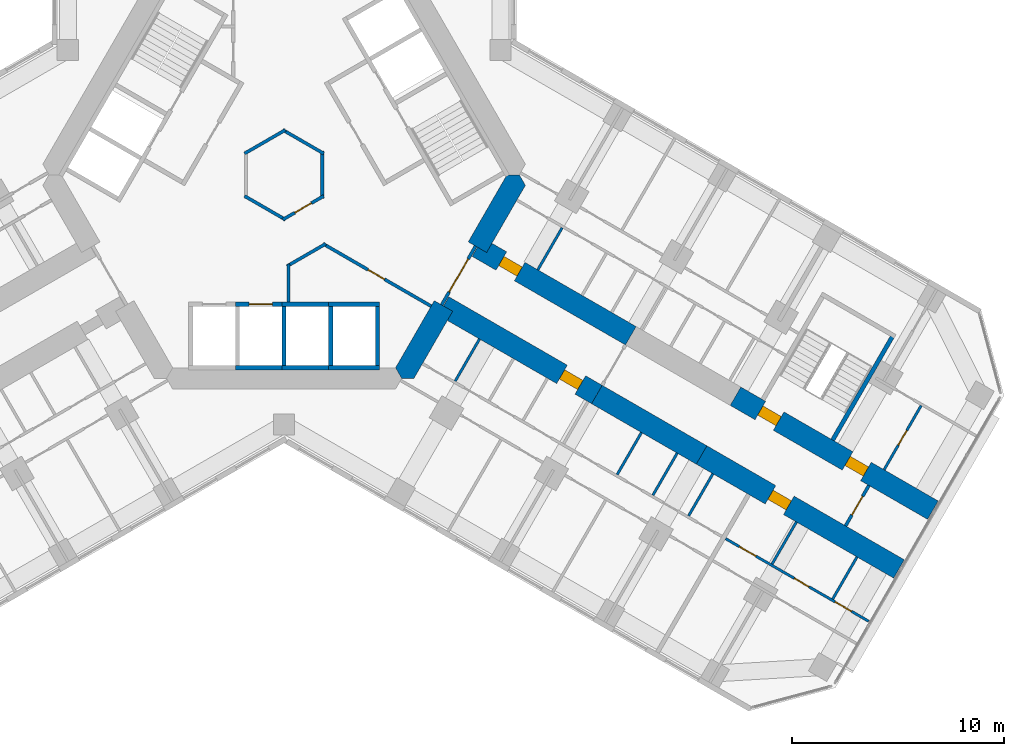
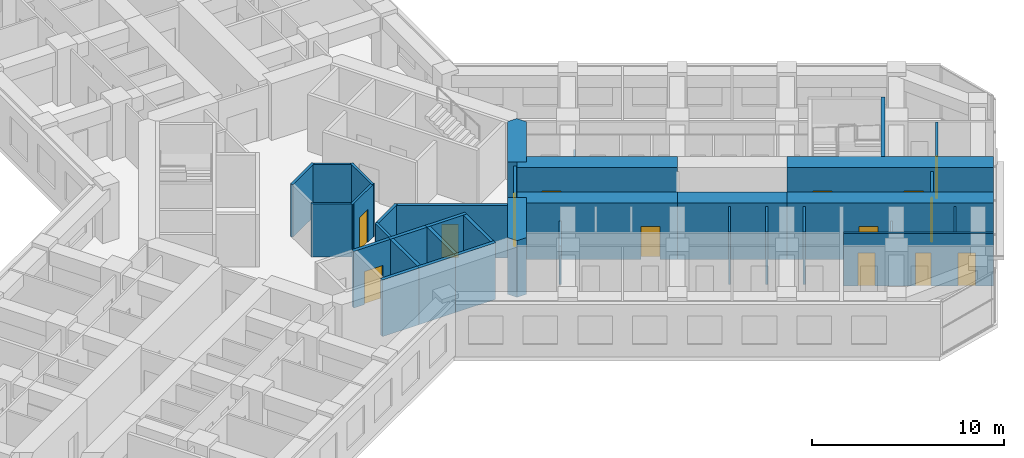
# One storey, part 15 of 21: 36 walls, 14 doors, 14 openings.
"""IFC4 building model written with IfcOpenShell, lengths in metres."""

from ifc_helpers import new_model, si_unit, direction, frame, frame_2d, origin, place, context, subcontext, project, spatial, polyline, rectangle, outline, extrude, material, layer, layer_set, type_object, element, fill, save


model = new_model("IFC4")

# Units and contexts
model_context = context("Model", 3, precision=1e-05, world=origin(), true_north=direction((0.0, 1.0)))
body_context = subcontext(model_context, "Body", "Model", "MODEL_VIEW")
ifc_project = project(units=[si_unit("LENGTHUNIT", "METRE"), si_unit("AREAUNIT", "SQUARE_METRE"), si_unit("VOLUMEUNIT", "CUBIC_METRE"), si_unit("PLANEANGLEUNIT", "RADIAN"), si_unit("MASSUNIT", "GRAM", prefix="KILO")], contexts=[model_context])

# Site, building, storey
site_placement = place(None, origin())
site = spatial("IfcSite", under=ifc_project, at=site_placement, CompositionType="ELEMENT")
building_placement = place(site_placement, origin())
building = spatial("IfcBuilding", under=site, at=building_placement, Name="Kosmar Iwan School Tower", CompositionType="ELEMENT")
storey_placement = place(building_placement, frame((0.0, 0.0, 57.39990234375)))
storey = spatial("IfcBuildingStorey", under=building, at=storey_placement, Name="L13", CompositionType="ELEMENT", Elevation=57.39990234375)

# Wall, opening, door
ifc_material_1 = material(Name="Gypsum board on steel studs, fire-rated", Category="steel")
ifc_layer_1 = layer(ifc_material_1, 0.14990234375)
ifc_layer_set_1 = layer_set([ifc_layer_1], Name="Core room partition 150")
wall_type_1 = type_object("IfcWallType", Name="Core room partition 150", PredefinedType="PARTITIONING", material=ifc_layer_set_1)
wall_1_placement = place(storey_placement, frame((1.864990234375, -1.001708984375, 0.0), z_axis=(0.0, 0.0, 1.0), x_axis=(-0.866023215828, -0.500003789632, 0.0)))
wall_1 = element("IfcWall", 1, at=wall_1_placement, inside=storey, type_object=wall_type_1, Name="Core room partition L13-CW4", PredefinedType="PARTITIONING", context=body_context, shape_type="SweptSolid", body=[
    extrude(rectangle(XDim=2.228515625, YDim=0.14990234375, at=frame_2d((1.1142578125, 0.0))), origin(), (0.0, 0.0, 1.0), 3.35009765625),
])
opening_1_placement = place(wall_1_placement, frame((0.6640625, 0.0, 0.0)))
opening_1 = element("IfcOpeningElement", 2, at=opening_1_placement, cuts=wall_1, Name="Opening D14", PredefinedType="OPENING", context=body_context, shape_type="SweptSolid", body=[
    extrude(rectangle(XDim=0.89990234375, YDim=2.10009765625, at=frame_2d((0.449951171875, 1.050048828125))), frame((0.0, 0.0869140625, 0.0), z_axis=(0.0, -1.0, 0.0), x_axis=(1.0, 0.0, 0.0)), (0.0, 0.0, 1.0), 0.173828125),
])
ifc_material_2 = material(Name="Timber fire door in steel frame", Category="steel")
door_type_1 = type_object("IfcDoorType", Name="Core room door 900x2100", OperationType="SINGLE_SWING_LEFT", PredefinedType="DOOR", material=ifc_material_2)
door_1_placement = place(opening_1_placement, origin())
door_1 = element("IfcDoor", 3, at=door_1_placement, inside=storey, type_object=door_type_1, Name="Residents' laundry room door L13 3", OperationType="SINGLE_SWING_RIGHT", OverallHeight=2.10009765625, OverallWidth=0.89990234375, PredefinedType="DOOR", context=body_context, shape_type="SweptSolid", body=[
    extrude(rectangle(XDim=0.89990234375, YDim=2.10009765625, at=frame_2d((0.449951171875, 1.050048828125))), frame((0.0, 0.02490234375, 0.0), z_axis=(0.0, -1.0, 0.0), x_axis=(1.0, 0.0, 0.0)), (0.0, 0.0, 1.0), 0.050048828125),
])
fill(opening_1, door_1)

# Walls
for number, where, z_axis, x_axis, name in (
    (4, (0.06494140625, -2.115966796875, 0.0), (0.0, 0.0, 1.0), (-0.866023215828, 0.500003789632, 0.0), "Core room partition L13-CW5"),
    (5, (-1.864990234375, 1.001708984375, 0.0), (0.0, 0.0, 1.0), (0.866023215828, 0.500003789632, 0.0), "Core room partition L13-CW7"),
    (6, (-0.06494140625, 2.115966796875, 0.0), (0.0, 0.0, 1.0), (0.866023215828, -0.500003789632, 0.0), "Core room partition L13-CW8"),
    (7, (1.800048828125, 1.1142578125, 0.0), (0.0, 0.0, 1.0), (0.0, -1.0, 0.0), "Core room partition L13-CW9"),
):
    element("IfcWall", number, at=place(storey_placement, frame(where, z_axis=z_axis, x_axis=x_axis)), inside=storey, type_object=wall_type_1, Name=name, PredefinedType="PARTITIONING", context=body_context, shape_type="SweptSolid", body=[
        extrude(rectangle(XDim=2.228515625, YDim=0.14990234375, at=frame_2d((1.1142578125, 0.0))), origin(), (0.0, 0.0, 1.0), 3.35009765625),
    ])
wall_2_placement = place(storey_placement, frame((0.199951171875, -6.0048828125, 0.0), z_axis=(0.0, 0.0, 1.0), x_axis=(0.0, 1.0, 0.0)))
element("IfcWall", 8, at=wall_2_placement, inside=storey, type_object=wall_type_1, Name="Core room partition L13-CW10", PredefinedType="PARTITIONING", context=body_context, shape_type="SweptSolid", body=[
    extrude(rectangle(XDim=1.807373046875, YDim=0.14990234375, at=frame_2d((0.90380859375, 0.0))), origin(), (0.0, 0.0, 1.0), 3.35009765625),
])
wall_3_placement = place(storey_placement, frame((0.135009765625, -4.309814453125, 0.0), z_axis=(0.0, 0.0, 1.0), x_axis=(0.866037425094, 0.499979177903, 0.0)))
element("IfcWall", 9, at=wall_3_placement, inside=storey, type_object=wall_type_1, Name="Core room partition L13-CW11", PredefinedType="PARTITIONING", context=body_context, shape_type="SweptSolid", body=[
    extrude(rectangle(XDim=2.11279296875, YDim=0.14990234375, at=frame_2d((1.056396484375, 0.0))), origin(), (0.0, 0.0, 1.0), 3.35009765625),
])

# Wall, opening, door
wall_4_placement = place(storey_placement, frame((1.8349609375, -3.25341796875, 0.0), z_axis=(0.0, 0.0, 1.0), x_axis=(0.866025981722, -0.499998998981, 0.0)))
wall_4 = element("IfcWall", 10, at=wall_4_placement, inside=storey, type_object=wall_type_1, Name="Core room partition L13-CW12", PredefinedType="PARTITIONING", context=body_context, shape_type="SweptSolid", body=[
    extrude(rectangle(XDim=5.88427734375, YDim=0.14990234375, at=frame_2d((2.942138671875, 0.0))), origin(), (0.0, 0.0, 1.0), 3.35009765625),
])
opening_2_placement = place(wall_4_placement, frame((2.449951171875, 0.0, 0.0)))
opening_2 = element("IfcOpeningElement", 11, at=opening_2_placement, cuts=wall_4, Name="Opening D14", PredefinedType="OPENING", context=body_context, shape_type="SweptSolid", body=[
    extrude(rectangle(XDim=0.89990234375, YDim=2.10009765625, at=frame_2d((0.449951171875, 1.050048828125))), frame((0.0, 0.0869140625, 0.0), z_axis=(0.0, -1.0, 0.0), x_axis=(1.0, 0.0, 0.0)), (0.0, 0.0, 1.0), 0.173828125),
])
door_2_placement = place(opening_2_placement, origin())
door_2 = element("IfcDoor", 12, at=door_2_placement, inside=storey, type_object=door_type_1, Name="Bicycle repair room door L13 4", OperationType="SINGLE_SWING_LEFT", OverallHeight=2.10009765625, OverallWidth=0.89990234375, PredefinedType="DOOR", context=body_context, shape_type="SweptSolid", body=[
    extrude(rectangle(XDim=0.89990234375, YDim=2.10009765625, at=frame_2d((0.449951171875, 1.050048828125))), frame((0.0, 0.02490234375, 0.0), z_axis=(0.0, -1.0, 0.0), x_axis=(1.0, 0.0, 0.0)), (0.0, 0.0, 1.0), 0.050048828125),
])
fill(opening_2, door_2)

# Walls
ifc_material_3 = material(Name="Concrete C50/60", Category="concrete")
ifc_layer_2 = layer(ifc_material_3, 1.0)
ifc_layer_set_2 = layer_set([ifc_layer_2], Name="Core wall 1000")
wall_type_2 = type_object("IfcWallType", Name="Core wall 1000", PredefinedType="SHEAR", material=ifc_layer_set_2)
wall_5_placement = place(storey_placement, origin())
element("IfcWall", 13, at=wall_5_placement, inside=storey, type_object=wall_type_2, Name="Core wall F330a", PredefinedType="SHEAR", context=body_context, shape_type="SweptSolid", body=[
    extrude(outline(polyline([(5.54248046875, -9.60009765625), (6.119873046875, -9.60009765625), (7.94677734375, -6.435546875), (7.080810546875, -5.935546875), (5.25390625, -9.10009765625), (5.54248046875, -9.60009765625)])), origin(), (0.0, 0.0, 1.0), 3.60009765625),
])
wall_6_placement = place(storey_placement, origin())
element("IfcWall", 14, at=wall_6_placement, inside=storey, type_object=wall_type_2, Name="Core wall F330b", PredefinedType="SHEAR", context=body_context, shape_type="SweptSolid", body=[
    extrude(outline(polyline([(9.546875, -3.664306640625), (11.373779296875, -0.5), (11.085205078125, 0.0), (10.5078125, 0.0), (8.680908203125, -3.164306640625), (9.546875, -3.664306640625)])), origin(), (0.0, 0.0, 1.0), 3.60009765625),
])

# Wall, opening, door
ifc_material_4 = material(Name="Concrete C50/60", Category="concrete")
ifc_layer_3 = layer(ifc_material_4, 1.0)
ifc_layer_set_3 = layer_set([ifc_layer_3], Name="Corridor buttress wall 1000")
wall_type_3 = type_object("IfcWallType", Name="Corridor buttress wall 1000", PredefinedType="SHEAR", material=ifc_layer_set_3)
wall_7_placement = place(storey_placement, frame((9.11376953125, -3.414306640625, 0.0), z_axis=(0.0, 0.0, 1.0), x_axis=(0.866026859388, -0.499997478812, 0.0)))
wall_7 = element("IfcWall", 15, at=wall_7_placement, inside=storey, type_object=wall_type_3, Name="Corridor wall CL", PredefinedType="SHEAR", context=body_context, shape_type="SweptSolid", body=[
    extrude(rectangle(XDim=8.35009765625, YDim=1.0, at=frame_2d((4.175048828125, 0.0))), origin(), (0.0, 0.0, 1.0), 3.60009765625),
])
opening_3_placement = place(wall_7_placement, frame((1.300048828125, 0.0, 0.0)))
opening_3 = element("IfcOpeningElement", 16, at=opening_3_placement, cuts=wall_7, Name="Opening D1", PredefinedType="OPENING", context=body_context, shape_type="SweptSolid", body=[
    extrude(rectangle(XDim=1.0, YDim=2.10009765625, at=frame_2d((0.5, 1.050048828125))), frame((0.0, 0.511962890625, 0.0), z_axis=(0.0, -1.0, 0.0), x_axis=(1.0, 0.0, 0.0)), (0.0, 0.0, 1.0), 1.02392578125),
])
ifc_material_5 = material(Name="Timber fire door in steel frame", Category="steel")
door_type_2 = type_object("IfcDoorType", Name="Flat entrance door 1000x2100", OperationType="SINGLE_SWING_LEFT", PredefinedType="DOOR", material=ifc_material_5)
door_3_placement = place(opening_3_placement, origin())
door_3 = element("IfcDoor", 17, at=door_3_placement, inside=storey, type_object=door_type_2, Name="Flat L13-CL1 entrance door", OperationType="SINGLE_SWING_RIGHT", OverallHeight=2.10009765625, OverallWidth=1.0, PredefinedType="DOOR", context=body_context, shape_type="SweptSolid", body=[
    extrude(rectangle(XDim=1.0, YDim=2.10009765625, at=frame_2d((0.5, 1.050048828125))), frame((0.0, 0.25, 0.0), z_axis=(0.0, -1.0, 0.0), x_axis=(1.0, 0.0, 0.0)), (0.0, 0.0, 1.0), 0.5),
])
fill(opening_3, door_3)

# Wall, openings, doors
wall_8_placement = place(storey_placement, frame((21.281494140625, -10.439453125, 0.0), z_axis=(0.0, 0.0, 1.0), x_axis=(0.866032345022, -0.499987977232, 0.0)))
wall_8 = element("IfcWall", 18, at=wall_8_placement, inside=storey, type_object=wall_type_3, Name="Corridor wall CL bay 3", PredefinedType="SHEAR", context=body_context, shape_type="SweptSolid", body=[
    extrude(rectangle(XDim=10.744873046875, YDim=1.0, at=frame_2d((5.37255859375, 0.0))), origin(), (0.0, 0.0, 1.0), 3.60009765625),
])
opening_4_placement = place(wall_8_placement, frame((6.10009765625, 0.0, 0.0)))
opening_4 = element("IfcOpeningElement", 19, at=opening_4_placement, cuts=wall_8, Name="Opening D1", PredefinedType="OPENING", context=body_context, shape_type="SweptSolid", body=[
    extrude(rectangle(XDim=1.0, YDim=2.10009765625, at=frame_2d((0.5, 1.050048828125))), frame((0.0, 0.511962890625, 0.0), z_axis=(0.0, -1.0, 0.0), x_axis=(1.0, 0.0, 0.0)), (0.0, 0.0, 1.0), 1.02392578125),
])
opening_5_placement = place(wall_8_placement, frame((1.35009765625, 0.0, 0.0)))
opening_5 = element("IfcOpeningElement", 20, at=opening_5_placement, cuts=wall_8, Name="Opening D6", PredefinedType="OPENING", context=body_context, shape_type="SweptSolid", body=[
    extrude(rectangle(XDim=1.0, YDim=2.10009765625, at=frame_2d((0.5, 1.050048828125))), frame((0.0, 0.511962890625, 0.0), z_axis=(0.0, -1.0, 0.0), x_axis=(1.0, 0.0, 0.0)), (0.0, 0.0, 1.0), 1.02392578125),
])
door_4_placement = place(opening_4_placement, origin())
door_4 = element("IfcDoor", 21, at=door_4_placement, inside=storey, type_object=door_type_2, Name="Flat L13-CL2 entrance door", OperationType="SINGLE_SWING_RIGHT", OverallHeight=2.10009765625, OverallWidth=1.0, PredefinedType="DOOR", context=body_context, shape_type="SweptSolid", body=[
    extrude(rectangle(XDim=1.0, YDim=2.10009765625, at=frame_2d((0.5, 1.050048828125))), frame((0.0, 0.25, 0.0), z_axis=(0.0, -1.0, 0.0), x_axis=(1.0, 0.0, 0.0)), (0.0, 0.0, 1.0), 0.5),
])
fill(opening_4, door_4)
ifc_material_6 = material(Name="Steel fire door", Category="steel")
door_type_3 = type_object("IfcDoorType", Name="Stair door 1000x2100", OperationType="SINGLE_SWING_LEFT", PredefinedType="DOOR", material=ifc_material_6)
door_5_placement = place(opening_5_placement, origin())
door_5 = element("IfcDoor", 22, at=door_5_placement, inside=storey, type_object=door_type_3, Name="Stair WS3 door L13", OperationType="SINGLE_SWING_LEFT", OverallHeight=2.10009765625, OverallWidth=1.0, PredefinedType="DOOR", context=body_context, shape_type="SweptSolid", body=[
    extrude(rectangle(XDim=1.0, YDim=2.10009765625, at=frame_2d((0.5, 1.050048828125))), frame((0.0, 0.25, 0.0), z_axis=(0.0, -1.0, 0.0), x_axis=(1.0, 0.0, 0.0)), (0.0, 0.0, 1.0), 0.5),
])
fill(opening_5, door_5)

# Wall, opening, door
wall_9_placement = place(storey_placement, frame((7.513916015625, -6.185546875, 0.0), z_axis=(0.0, 0.0, 1.0), x_axis=(0.866019549707, -0.500010139422, 0.0)))
wall_9 = element("IfcWall", 23, at=wall_9_placement, inside=storey, type_object=wall_type_3, Name="Corridor wall CR", PredefinedType="SHEAR", context=body_context, shape_type="SweptSolid", body=[
    extrude(rectangle(XDim=8.349853515625, YDim=1.0, at=frame_2d((4.1748046875, 0.0))), origin(), (0.0, 0.0, 1.0), 3.60009765625),
])
opening_6_placement = place(wall_9_placement, frame((6.449951171875, 0.0, 0.0)))
opening_6 = element("IfcOpeningElement", 24, at=opening_6_placement, cuts=wall_9, Name="Opening D1", PredefinedType="OPENING", context=body_context, shape_type="SweptSolid", body=[
    extrude(rectangle(XDim=1.0, YDim=2.10009765625, at=frame_2d((0.5, 1.050048828125))), frame((0.0, 0.511962890625, 0.0), z_axis=(0.0, -1.0, 0.0), x_axis=(1.0, 0.0, 0.0)), (0.0, 0.0, 1.0), 1.02392578125),
])
door_6_placement = place(opening_6_placement, origin())
door_6 = element("IfcDoor", 25, at=door_6_placement, inside=storey, type_object=door_type_2, Name="Flat L13-CR1 entrance door", OperationType="SINGLE_SWING_RIGHT", OverallHeight=2.10009765625, OverallWidth=1.0, PredefinedType="DOOR", context=body_context, shape_type="SweptSolid", body=[
    extrude(rectangle(XDim=1.0, YDim=2.10009765625, at=frame_2d((0.5, 1.050048828125))), frame((0.0, 0.25, 0.0), z_axis=(0.0, -1.0, 0.0), x_axis=(1.0, 0.0, 0.0)), (0.0, 0.0, 1.0), 0.5),
])
fill(opening_6, door_6)

# Wall
wall_10_placement = place(storey_placement, frame((14.7451171875, -10.360595703125, 0.0), z_axis=(0.0, 0.0, 1.0), x_axis=(0.866015111908, -0.50001782563, 0.0)))
element("IfcWall", 26, at=wall_10_placement, inside=storey, type_object=wall_type_3, Name="Corridor wall CR bay 2", PredefinedType="SHEAR", context=body_context, shape_type="SweptSolid", body=[
    extrude(rectangle(XDim=5.699951171875, YDim=1.0, at=frame_2d((2.85009765625, 0.0))), origin(), (0.0, 0.0, 1.0), 3.60009765625),
])

# Wall, opening, door
wall_11_placement = place(storey_placement, frame((19.681396484375, -13.210693359375, 0.0), z_axis=(0.0, 0.0, 1.0), x_axis=(0.866028186671, -0.499995179869, 0.0)))
wall_11 = element("IfcWall", 27, at=wall_11_placement, inside=storey, type_object=wall_type_3, Name="Corridor wall CR bay 3", PredefinedType="SHEAR", context=body_context, shape_type="SweptSolid", body=[
    extrude(rectangle(XDim=10.7451171875, YDim=1.0, at=frame_2d((5.37255859375, 0.0))), origin(), (0.0, 0.0, 1.0), 3.60009765625),
])
opening_7_placement = place(wall_11_placement, frame((3.75, 0.0, 0.0)))
opening_7 = element("IfcOpeningElement", 28, at=opening_7_placement, cuts=wall_11, Name="Opening D1", PredefinedType="OPENING", context=body_context, shape_type="SweptSolid", body=[
    extrude(rectangle(XDim=1.0, YDim=2.10009765625, at=frame_2d((0.5, 1.050048828125))), frame((0.0, 0.511962890625, 0.0), z_axis=(0.0, -1.0, 0.0), x_axis=(1.0, 0.0, 0.0)), (0.0, 0.0, 1.0), 1.02392578125),
])
door_7_placement = place(opening_7_placement, origin())
door_7 = element("IfcDoor", 29, at=door_7_placement, inside=storey, type_object=door_type_2, Name="Flat L13-CR2 entrance door", OperationType="SINGLE_SWING_RIGHT", OverallHeight=2.10009765625, OverallWidth=1.0, PredefinedType="DOOR", context=body_context, shape_type="SweptSolid", body=[
    extrude(rectangle(XDim=1.0, YDim=2.10009765625, at=frame_2d((0.5, 1.050048828125))), frame((0.0, 0.25, 0.0), z_axis=(0.0, -1.0, 0.0), x_axis=(1.0, 0.0, 0.0)), (0.0, 0.0, 1.0), 0.5),
])
fill(opening_7, door_7)

ifc_material_7 = material(Name="Gypsum board on steel studs, fire-rated", Category="steel")
ifc_layer_4 = layer(ifc_material_7, 0.14990234375)
ifc_layer_set_4 = layer_set([ifc_layer_4], Name="Corridor end wall 150")
wall_type_4 = type_object("IfcWallType", Name="Corridor end wall 150", PredefinedType="PARTITIONING", material=ifc_layer_set_4)
wall_12_placement = place(storey_placement, frame((26.469970703125, -16.552734375, 0.0), z_axis=(0.0, 0.0, 1.0), x_axis=(0.50002983664, 0.866008176907, 0.0)))
wall_12 = element("IfcWall", 30, at=wall_12_placement, inside=storey, type_object=wall_type_4, Name="Partition L13-C-CE", PredefinedType="PARTITIONING", context=body_context, shape_type="SweptSolid", body=[
    extrude(rectangle(XDim=2.199951171875, YDim=0.14990234375, at=frame_2d((1.10009765625, 0.0))), origin(), (0.0, 0.0, 1.0), 3.35009765625),
])
opening_8_placement = place(wall_12_placement, frame((0.60009765625, 0.0, 0.0)))
opening_8 = element("IfcOpeningElement", 31, at=opening_8_placement, cuts=wall_12, Name="Opening D13", PredefinedType="OPENING", context=body_context, shape_type="SweptSolid", body=[
    extrude(rectangle(XDim=1.0, YDim=2.10009765625, at=frame_2d((0.5, 1.050048828125))), frame((0.0, 0.0869140625, 0.0), z_axis=(0.0, -1.0, 0.0), x_axis=(1.0, 0.0, 0.0)), (0.0, 0.0, 1.0), 0.173828125),
])
ifc_material_8 = material(Name="Timber fire door with vision panel", Category="wood")
door_type_4 = type_object("IfcDoorType", Name="Corridor end door 1000x2100", OperationType="SINGLE_SWING_LEFT", PredefinedType="DOOR", material=ifc_material_8)
door_8_placement = place(opening_8_placement, origin())
door_8 = element("IfcDoor", 32, at=door_8_placement, inside=storey, type_object=door_type_4, Name="Laundry and drying room door L13-C", OperationType="SINGLE_SWING_LEFT", OverallHeight=2.10009765625, OverallWidth=1.0, PredefinedType="DOOR", context=body_context, shape_type="SweptSolid", body=[
    extrude(rectangle(XDim=1.0, YDim=2.10009765625, at=frame_2d((0.5, 1.050048828125))), frame((0.0, 0.02490234375, 0.0), z_axis=(0.0, -1.0, 0.0), x_axis=(1.0, 0.0, 0.0)), (0.0, 0.0, 1.0), 0.050048828125),
])
fill(opening_8, door_8)

ifc_material_9 = material(Name="Steel framed glazed screen", Category="steel")
ifc_layer_5 = layer(ifc_material_9, 0.14990234375)
ifc_layer_set_5 = layer_set([ifc_layer_5], Name="Corridor screen wall 150")
wall_type_5 = type_object("IfcWallType", Name="Corridor screen wall 150", PredefinedType="PARTITIONING", material=ifc_layer_set_5)
wall_13_placement = place(storey_placement, frame((7.42724609375, -6.1357421875, 0.0), z_axis=(0.0, 0.0, 1.0), x_axis=(0.499995408039, 0.866028054938, 0.0)))
wall_13 = element("IfcWall", 33, at=wall_13_placement, inside=storey, type_object=wall_type_5, Name="Corridor screen C L13", PredefinedType="PARTITIONING", context=body_context, shape_type="SweptSolid", body=[
    extrude(rectangle(XDim=3.2001953125, YDim=0.14990234375, at=frame_2d((1.60009765625, 0.0))), origin(), (0.0, 0.0, 1.0), 3.35009765625),
])
opening_9_placement = place(wall_13_placement, frame((0.699951171875, 0.0, 0.0)))
opening_9 = element("IfcOpeningElement", 34, at=opening_9_placement, cuts=wall_13, Name="Opening D9", PredefinedType="OPENING", context=body_context, shape_type="SweptSolid", body=[
    extrude(rectangle(XDim=1.800048828125, YDim=2.10009765625, at=frame_2d((0.89990234375, 1.050048828125))), frame((0.0, 0.0869140625, 0.0), z_axis=(0.0, -1.0, 0.0), x_axis=(1.0, 0.0, 0.0)), (0.0, 0.0, 1.0), 0.173828125),
])
ifc_material_10 = material(Name="Steel framed glazed smoke door", Category="steel")
door_type_5 = type_object("IfcDoorType", Name="Corridor smoke door pair 1800x2100", OperationType="DOUBLE_DOOR_DOUBLE_SWING", PredefinedType="DOOR", material=ifc_material_10)
door_9_placement = place(opening_9_placement, origin())
door_9 = element("IfcDoor", 35, at=door_9_placement, inside=storey, type_object=door_type_5, Name="Corridor doors C L13", OperationType="DOUBLE_DOOR_DOUBLE_SWING", OverallHeight=2.10009765625, OverallWidth=1.800048828125, PredefinedType="DOOR", context=body_context, shape_type="SweptSolid", body=[
    extrude(rectangle(XDim=1.800048828125, YDim=2.10009765625, at=frame_2d((0.89990234375, 1.050048828125))), frame((0.0, 0.02490234375, 0.0), z_axis=(0.0, -1.0, 0.0), x_axis=(1.0, 0.0, 0.0)), (0.0, 0.0, 1.0), 0.050048828125),
])
fill(opening_9, door_9)

# Wall
ifc_material_11 = material(Name="Gypsum board on steel studs", Category="steel")
ifc_layer_6 = layer(ifc_material_11, 0.1201171875)
ifc_layer_set_6 = layer_set([ifc_layer_6], Name="Dwelling partition 120")
wall_type_6 = type_object("IfcWallType", Name="Dwelling partition 120", PredefinedType="PARTITIONING", material=ifc_layer_set_6)
wall_14_placement = place(storey_placement, frame((11.9619140625, -4.4814453125, 0.0), z_axis=(0.0, 0.0, 1.0), x_axis=(0.499968531483, 0.866043571379, 0.0)))
element("IfcWall", 36, at=wall_14_placement, inside=storey, type_object=wall_type_6, Name="Partition L13-CL1-Y1", PredefinedType="PARTITIONING", context=body_context, shape_type="SweptSolid", body=[
    extrude(rectangle(XDim=2.290283203125, YDim=0.1201171875, at=frame_2d((1.14501953125, 0.0))), origin(), (0.0, 0.0, 1.0), 2.4501953125),
])

# Wall, opening, door
wall_15_placement = place(storey_placement, frame((28.286376953125, -13.90625, 0.0), z_axis=(0.0, 0.0, 1.0), x_axis=(0.50002117804, 0.866013176292, 0.0)))
wall_15 = element("IfcWall", 37, at=wall_15_placement, inside=storey, type_object=wall_type_6, Name="Partition L13-CL2-TY", PredefinedType="PARTITIONING", context=body_context, shape_type="SweptSolid", body=[
    extrude(rectangle(XDim=3.489990234375, YDim=0.1201171875, at=frame_2d((1.7451171875, 0.0))), origin(), (0.0, 0.0, 1.0), 3.35009765625),
])
opening_10_placement = place(wall_15_placement, frame((1.344970703125, 0.0, 0.0)))
opening_10 = element("IfcOpeningElement", 38, at=opening_10_placement, cuts=wall_15, Name="Opening D3", PredefinedType="OPENING", context=body_context, shape_type="SweptSolid", body=[
    extrude(rectangle(XDim=0.800048828125, YDim=2.10009765625, at=frame_2d((0.39990234375, 1.050048828125))), frame((0.0, 0.072021484375, 0.0), z_axis=(0.0, -1.0, 0.0), x_axis=(1.0, 0.0, 0.0)), (0.0, 0.0, 1.0), 0.14404296875),
])
ifc_material_12 = material(Name="Timber door in timber frame", Category="wood")
door_type_6 = type_object("IfcDoorType", Name="Sanitary room door 800x2100", OperationType="SINGLE_SWING_LEFT", PredefinedType="DOOR", material=ifc_material_12)
door_10_placement = place(opening_10_placement, origin())
door_10 = element("IfcDoor", 39, at=door_10_placement, inside=storey, type_object=door_type_6, Name="Bathroom door L13-CL2-T4", OperationType="SINGLE_SWING_RIGHT", OverallHeight=2.10009765625, OverallWidth=0.800048828125, PredefinedType="DOOR", context=body_context, shape_type="SweptSolid", body=[
    extrude(rectangle(XDim=0.800048828125, YDim=2.10009765625, at=frame_2d((0.39990234375, 1.050048828125))), frame((0.0, 0.02490234375, 0.0), z_axis=(0.0, -1.0, 0.0), x_axis=(1.0, 0.0, 0.0)), (0.0, 0.0, 1.0), 0.050048828125),
])
fill(opening_10, door_10)

# Walls
wall_16_placement = place(storey_placement, frame((9.21240234375, -7.74365234375, 0.0), z_axis=(0.0, 0.0, 1.0), x_axis=(-0.500014693593, -0.866016920268, 0.0)))
element("IfcWall", 40, at=wall_16_placement, inside=storey, type_object=wall_type_6, Name="Partition L13-CR1-Y1", PredefinedType="PARTITIONING", context=body_context, shape_type="SweptSolid", body=[
    extrude(rectangle(XDim=2.2900390625, YDim=0.1201171875, at=frame_2d((1.14501953125, 0.0))), origin(), (0.0, 0.0, 1.0), 2.4501953125),
])
for number, where, z_axis, x_axis, name in (
    (41, (16.847900390625, -12.152099609375, 0.0), (0.0, 0.0, 1.0), (-0.500014693593, -0.866016920268, 0.0), "Partition L13-CR1-Y5"),
    (42, (18.53173828125, -13.124267578125, 0.0), (0.0, 0.0, 1.0), (-0.500014693593, -0.866016920268, 0.0), "Partition L13-CR1-Y6"),
    (43, (20.2158203125, -14.096435546875, 0.0), (0.0, 0.0, 1.0), (-0.500014693593, -0.866016920268, 0.0), "Partition L13-CR1-Y7"),
):
    element("IfcWall", number, at=place(storey_placement, frame(where, z_axis=z_axis, x_axis=x_axis)), inside=storey, type_object=wall_type_6, Name=name, PredefinedType="PARTITIONING", context=body_context, shape_type="SweptSolid", body=[
        extrude(rectangle(XDim=2.2900390625, YDim=0.1201171875, at=frame_2d((1.14501953125, 0.0))), origin(), (0.0, 0.0, 1.0), 3.35009765625),
    ])

# Wall, openings, doors
wall_17_placement = place(storey_placement, frame((20.811279296875, -17.15380859375, 0.0), z_axis=(0.0, 0.0, 1.0), x_axis=(0.866029639064, -0.499992664208, 0.0)))
wall_17 = element("IfcWall", 44, at=wall_17_placement, inside=storey, type_object=wall_type_6, Name="Partition L13-CR2-W1", PredefinedType="PARTITIONING", context=body_context, shape_type="SweptSolid", body=[
    extrude(rectangle(XDim=7.794921875, YDim=0.1201171875, at=frame_2d((3.8974609375, 0.0))), origin(), (0.0, 0.0, 1.0), 3.35009765625),
])
opening_11_placement = place(wall_17_placement, frame((0.75, 0.0, 0.0)))
opening_11 = element("IfcOpeningElement", 45, at=opening_11_placement, cuts=wall_17, Name="Opening D2", PredefinedType="OPENING", context=body_context, shape_type="SweptSolid", body=[
    extrude(rectangle(XDim=0.89990234375, YDim=2.10009765625, at=frame_2d((0.449951171875, 1.050048828125))), frame((0.0, 0.072021484375, 0.0), z_axis=(0.0, -1.0, 0.0), x_axis=(1.0, 0.0, 0.0)), (0.0, 0.0, 1.0), 0.14404296875),
])
opening_12_placement = place(wall_17_placement, frame((3.75, 0.0, 0.0)))
opening_12 = element("IfcOpeningElement", 46, at=opening_12_placement, cuts=wall_17, Name="Opening D3", PredefinedType="OPENING", context=body_context, shape_type="SweptSolid", body=[
    extrude(rectangle(XDim=0.800048828125, YDim=2.10009765625, at=frame_2d((0.39990234375, 1.050048828125))), frame((0.0, 0.072021484375, 0.0), z_axis=(0.0, -1.0, 0.0), x_axis=(1.0, 0.0, 0.0)), (0.0, 0.0, 1.0), 0.14404296875),
])
opening_13_placement = place(wall_17_placement, frame((5.9599609375, 0.0, 0.0)))
opening_13 = element("IfcOpeningElement", 47, at=opening_13_placement, cuts=wall_17, Name="Opening D2", PredefinedType="OPENING", context=body_context, shape_type="SweptSolid", body=[
    extrude(rectangle(XDim=0.89990234375, YDim=2.10009765625, at=frame_2d((0.449951171875, 1.050048828125))), frame((0.0, 0.072021484375, 0.0), z_axis=(0.0, -1.0, 0.0), x_axis=(1.0, 0.0, 0.0)), (0.0, 0.0, 1.0), 0.14404296875),
])
ifc_material_13 = material(Name="Timber door in timber frame", Category="wood")
door_type_7 = type_object("IfcDoorType", Name="Internal door 900x2100", OperationType="SINGLE_SWING_LEFT", PredefinedType="DOOR", material=ifc_material_13)
door_11_placement = place(opening_11_placement, origin())
door_11 = element("IfcDoor", 48, at=door_11_placement, inside=storey, type_object=door_type_7, Name="Entrance hall door L13-CR2-S1", OperationType="SINGLE_SWING_LEFT", OverallHeight=2.10009765625, OverallWidth=0.89990234375, PredefinedType="DOOR", context=body_context, shape_type="SweptSolid", body=[
    extrude(rectangle(XDim=0.89990234375, YDim=2.10009765625, at=frame_2d((0.449951171875, 1.050048828125))), frame((0.0, 0.02490234375, 0.0), z_axis=(0.0, -1.0, 0.0), x_axis=(1.0, 0.0, 0.0)), (0.0, 0.0, 1.0), 0.050048828125),
])
fill(opening_11, door_11)
door_12_placement = place(opening_13_placement, origin())
door_12 = element("IfcDoor", 49, at=door_12_placement, inside=storey, type_object=door_type_7, Name="Pantry door L13-CR2-S3", OperationType="SINGLE_SWING_LEFT", OverallHeight=2.10009765625, OverallWidth=0.89990234375, PredefinedType="DOOR", context=body_context, shape_type="SweptSolid", body=[
    extrude(rectangle(XDim=0.89990234375, YDim=2.10009765625, at=frame_2d((0.449951171875, 1.050048828125))), frame((0.0, 0.02490234375, 0.0), z_axis=(0.0, -1.0, 0.0), x_axis=(1.0, 0.0, 0.0)), (0.0, 0.0, 1.0), 0.050048828125),
])
fill(opening_13, door_12)
door_13_placement = place(opening_12_placement, origin())
door_13 = element("IfcDoor", 50, at=door_13_placement, inside=storey, type_object=door_type_6, Name="Bathroom door L13-CR2-S2", OperationType="SINGLE_SWING_RIGHT", OverallHeight=2.10009765625, OverallWidth=0.800048828125, PredefinedType="DOOR", context=body_context, shape_type="SweptSolid", body=[
    extrude(rectangle(XDim=0.800048828125, YDim=2.10009765625, at=frame_2d((0.39990234375, 1.050048828125))), frame((0.0, 0.02490234375, 0.0), z_axis=(0.0, -1.0, 0.0), x_axis=(1.0, 0.0, 0.0)), (0.0, 0.0, 1.0), 0.050048828125),
])
fill(opening_12, door_13)

# Walls
wall_18_placement = place(storey_placement, frame((24.1513671875, -16.36865234375, 0.0), z_axis=(0.0, 0.0, 1.0), x_axis=(-0.500014693593, -0.866016920268, 0.0)))
element("IfcWall", 51, at=wall_18_placement, inside=storey, type_object=wall_type_6, Name="Partition L13-CR2-Y1", PredefinedType="PARTITIONING", context=body_context, shape_type="SweptSolid", body=[
    extrude(rectangle(XDim=2.2900390625, YDim=0.1201171875, at=frame_2d((1.14501953125, 0.0))), origin(), (0.0, 0.0, 1.0), 2.4501953125),
])
wall_19_placement = place(storey_placement, frame((27.00927734375, -18.0185546875, 0.0), z_axis=(0.0, 0.0, 1.0), x_axis=(-0.499968531483, -0.866043571379, 0.0)))
element("IfcWall", 52, at=wall_19_placement, inside=storey, type_object=wall_type_6, Name="Partition L13-CR2-Y2", PredefinedType="PARTITIONING", context=body_context, shape_type="SweptSolid", body=[
    extrude(rectangle(XDim=2.290283203125, YDim=0.1201171875, at=frame_2d((1.14501953125, 0.0))), origin(), (0.0, 0.0, 1.0), 3.35009765625),
])
ifc_material_14 = material(Name="Concrete C35/45", Category="concrete")
ifc_layer_7 = layer(ifc_material_14, 0.199951171875)
ifc_layer_set_7 = layer_set([ifc_layer_7], Name="Escape stair wall 200")
wall_type_7 = type_object("IfcWallType", Name="Escape stair wall 200", PredefinedType="SHEAR", material=ifc_layer_set_7)
wall_20_placement = place(storey_placement, frame((25.861572265625, -12.50634765625, 0.0), z_axis=(0.0, 0.0, 1.0), x_axis=(0.500018801468, 0.86601454848, 0.0)))
element("IfcWall", 53, at=wall_20_placement, inside=storey, type_object=wall_type_7, Name="Stair WS3 wall", PredefinedType="SHEAR", context=body_context, shape_type="SweptSolid", body=[
    extrude(rectangle(XDim=5.800048828125, YDim=0.199951171875, at=frame_2d((2.89990234375, 0.0))), origin(), (0.0, 0.0, 1.0), 3.330078125),
])

# Wall, opening, door
ifc_material_15 = material(Name="Concrete C50/60", Category="concrete")
ifc_layer_8 = layer(ifc_material_15, 0.199951171875)
ifc_layer_set_8 = layer_set([ifc_layer_8], Name="Lift shaft wall 200")
wall_type_8 = type_object("IfcWallType", Name="Lift shaft wall 200", PredefinedType="SHEAR", material=ifc_layer_set_8)
wall_21_placement = place(storey_placement, frame((-2.300048828125, -6.10009765625, 0.0), z_axis=(0.0, 0.0, 1.0), x_axis=(1.0, 0.0, 0.0)))
wall_21 = element("IfcWall", 54, at=wall_21_placement, inside=storey, type_object=wall_type_8, Name="Lift and stair front wall BC", PredefinedType="SHEAR", context=body_context, shape_type="SweptSolid", body=[
    extrude(rectangle(XDim=2.199951171875, YDim=0.199951171875, at=frame_2d((1.10009765625, 0.0))), origin(), (0.0, 0.0, 1.0), 3.60009765625),
])
opening_14_placement = place(wall_21_placement, frame((0.64990234375, 0.0, 0.0)))
opening_14 = element("IfcOpeningElement", 55, at=opening_14_placement, cuts=wall_21, Name="Opening LD1", PredefinedType="OPENING", context=body_context, shape_type="SweptSolid", body=[
    extrude(rectangle(XDim=1.10009765625, YDim=2.10009765625, at=frame_2d((0.550048828125, 1.050048828125))), frame((0.0, 0.112060546875, 0.0), z_axis=(0.0, -1.0, 0.0), x_axis=(1.0, 0.0, 0.0)), (0.0, 0.0, 1.0), 0.223876953125),
])
ifc_material_16 = material(Name="Stainless steel sliding lift door", Category="steel")
door_type_8 = type_object("IfcDoorType", Name="Lift landing door 1100x2100", OperationType="SLIDING_TO_LEFT", PredefinedType="DOOR", material=ifc_material_16)
door_14_placement = place(opening_14_placement, origin())
door_14 = element("IfcDoor", 56, at=door_14_placement, inside=storey, type_object=door_type_8, Name="Lift PL2 landing door L13", OperationType="SLIDING_TO_LEFT", OverallHeight=2.10009765625, OverallWidth=1.10009765625, PredefinedType="DOOR", context=body_context, shape_type="SweptSolid", body=[
    extrude(rectangle(XDim=1.10009765625, YDim=2.10009765625, at=frame_2d((0.550048828125, 1.050048828125))), frame((0.0, 0.02490234375, 0.0), z_axis=(0.0, -1.0, 0.0), x_axis=(1.0, 0.0, 0.0)), (0.0, 0.0, 1.0), 0.050048828125),
])
fill(opening_14, door_14)

# Walls
wall_22_placement = place(storey_placement, frame((-2.300048828125, -9.10009765625, 0.0), z_axis=(0.0, 0.0, 1.0), x_axis=(1.0, 0.0, 0.0)))
element("IfcWall", 57, at=wall_22_placement, inside=storey, type_object=wall_type_8, Name="Lift and stair back wall BC", PredefinedType="SHEAR", context=body_context, shape_type="SweptSolid", body=[
    extrude(rectangle(XDim=2.199951171875, YDim=0.199951171875, at=frame_2d((1.10009765625, 0.0))), origin(), (0.0, 0.0, 1.0), 3.60009765625),
])
for number, where, z_axis, x_axis, name in (
    (58, (-0.10009765625, -6.10009765625, 0.0), (0.0, 0.0, 1.0), (1.0, 0.0, 0.0), "Lift and stair front wall BC"),
    (59, (-0.10009765625, -9.10009765625, 0.0), (0.0, 0.0, 1.0), (1.0, 0.0, 0.0), "Lift and stair back wall BC"),
):
    element("IfcWall", number, at=place(storey_placement, frame(where, z_axis=z_axis, x_axis=x_axis)), inside=storey, type_object=wall_type_8, Name=name, PredefinedType="SHEAR", context=body_context, shape_type="SweptSolid", body=[
        extrude(rectangle(XDim=2.2001953125, YDim=0.199951171875, at=frame_2d((1.10009765625, 0.0))), origin(), (0.0, 0.0, 1.0), 3.60009765625),
    ])
for number, where, z_axis, x_axis, name in (
    (60, (2.10009765625, -6.10009765625, 0.0), (0.0, 0.0, 1.0), (1.0, 0.0, 0.0), "Lift and stair front wall BC"),
    (61, (2.10009765625, -9.10009765625, 0.0), (0.0, 0.0, 1.0), (1.0, 0.0, 0.0), "Lift and stair back wall BC"),
):
    element("IfcWall", number, at=place(storey_placement, frame(where, z_axis=z_axis, x_axis=x_axis)), inside=storey, type_object=wall_type_8, Name=name, PredefinedType="SHEAR", context=body_context, shape_type="SweptSolid", body=[
        extrude(rectangle(XDim=2.39990234375, YDim=0.199951171875, at=frame_2d((1.199951171875, 0.0))), origin(), (0.0, 0.0, 1.0), 3.60009765625),
    ])
for number, where, z_axis, x_axis, name in (
    (62, (0.0, -6.199951171875, 0.0), (0.0, 0.0, 1.0), (0.0, -1.0, 0.0), "Lift shaft wall BC 2"),
    (63, (2.199951171875, -6.199951171875, 0.0), (0.0, 0.0, 1.0), (0.0, -1.0, 0.0), "Lift shaft wall BC 3"),
    (64, (4.39990234375, -6.199951171875, 0.0), (0.0, 0.0, 1.0), (0.0, -1.0, 0.0), "Lift shaft wall BC 4"),
):
    element("IfcWall", number, at=place(storey_placement, frame(where, z_axis=z_axis, x_axis=x_axis)), inside=storey, type_object=wall_type_8, Name=name, PredefinedType="SHEAR", context=body_context, shape_type="SweptSolid", body=[
        extrude(rectangle(XDim=2.800048828125, YDim=0.199951171875, at=frame_2d((1.39990234375, 0.0))), origin(), (0.0, 0.0, 1.0), 3.60009765625),
    ])

save(model, "model.ifc")
